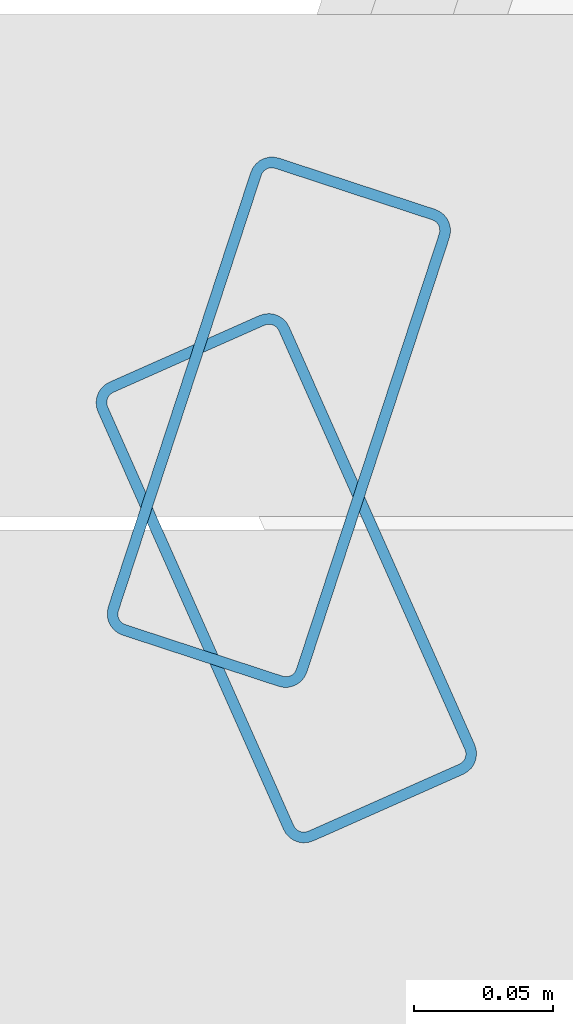
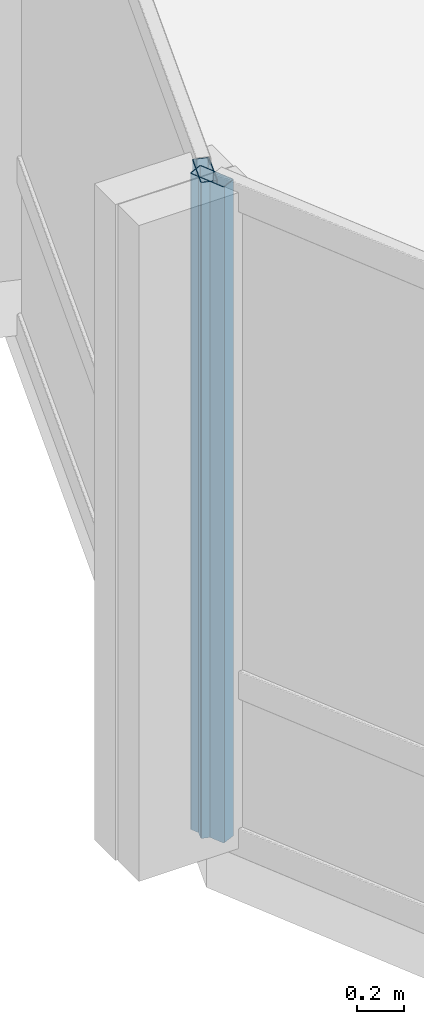
# One storey, part 6 of 29: 2 members, 2 elements without a shape of their own.
"""IFC4 building model written with IfcOpenShell, lengths in metres."""

from ifc_helpers import new_model, si_unit, direction, frame, origin, origin_2d, place, context, subcontext, project, spatial, hollow_rectangle, extrude, material, layer, layer_set, material_profile, profile_set, type_object, element, aggregate, save


model = new_model("IFC4")

# Units and contexts
model_context = context("Model", 3, precision=1e-05, world=origin(), true_north=direction((0.0, 1.0)))
body_context = subcontext(model_context, "Body", "Model", "MODEL_VIEW")
ifc_project = project(units=[si_unit("LENGTHUNIT", "METRE"), si_unit("AREAUNIT", "SQUARE_METRE"), si_unit("VOLUMEUNIT", "CUBIC_METRE"), si_unit("PLANEANGLEUNIT", "RADIAN"), si_unit("MASSUNIT", "GRAM", prefix="KILO")], contexts=[model_context])

# Site, building, storey
site_placement = place(None, origin())
site = spatial("IfcSite", under=ifc_project, at=site_placement, CompositionType="ELEMENT")
building_placement = place(site_placement, origin())
building = spatial("IfcBuilding", under=site, at=building_placement, Name="Solvaryn Broadcast Tower", CompositionType="ELEMENT")
storey_placement = place(building_placement, frame((0.0, 0.0, 147.0)))
storey = spatial("IfcBuildingStorey", under=building, at=storey_placement, Name="L36", CompositionType="ELEMENT", Elevation=147.0)

# Curtain wall, member
ifc_material_1 = material(Name="Aluminium and Terracotta Unitised Curtain Wall", Category="masonry")
ifc_layer = layer(ifc_material_1, 0.199951171875)
ifc_layer_set = layer_set([ifc_layer], Name="CW-SYS2-LOWMID")
curtain_wall_type = type_object("IfcCurtainWallType", Name="CW-SYS2-LOWMID", PredefinedType="NOTDEFINED", material=ifc_layer_set)
curtain_wall_1_placement = place(storey_placement, origin())
curtain_wall_1 = element("IfcCurtainWall", 1, at=curtain_wall_1_placement, inside=storey, type_object=curtain_wall_type, Name="L36 Curtain Wall DR1", PredefinedType="NOTDEFINED")
ifc_material_2 = material(Name="Anodised Aluminium 6063-T6", Category="aluminium")
ifc_material_profile = material_profile(ifc_material_2, hollow_rectangle(XDim=0.074951171875, YDim=0.179931640625, WallThickness=0.00390625, InnerFilletRadius=0.00390625, OuterFilletRadius=0.008056640625, at=origin_2d()))
ifc_profile_set = profile_set([ifc_material_profile], Name="Anodised Aluminium 6063-T6")
member_type = type_object("IfcMemberType", Name="CW-MUL-180", PredefinedType="MULLION", material=ifc_profile_set)
member_1_placement = place(storey_placement, frame((1.04345703125, 26.66455078125, 0.0), z_axis=(0.0, 0.0, 1.0), x_axis=(0.950198260794, -0.311646057547, 0.0)))
member_1 = element("IfcMember", 2, at=member_1_placement, type_object=member_type, Name="CWS2 mullion 2", PredefinedType="MULLION", context=body_context, shape_type="SweptSolid", body=[
    extrude(hollow_rectangle(XDim=0.074951171875, YDim=0.179931640625, WallThickness=0.00390625, InnerFilletRadius=0.00390625, OuterFilletRadius=0.008056640625, at=origin_2d()), origin(), (0.0, 0.0, 1.0), 3.419921875),
])
aggregate(curtain_wall_1, [member_1])

curtain_wall_2_placement = place(storey_placement, origin())
curtain_wall_2 = element("IfcCurtainWall", 3, at=curtain_wall_2_placement, inside=storey, type_object=curtain_wall_type, Name="L36 Curtain Wall DR2", PredefinedType="NOTDEFINED")
member_2_placement = place(storey_placement, frame((1.046142578125, 26.608642578125, 0.0), z_axis=(0.0, 0.0, 1.0), x_axis=(0.913909311008, 0.405918429309, 0.0)))
member_2 = element("IfcMember", 4, at=member_2_placement, type_object=member_type, Name="CWS2 mullion 1", PredefinedType="MULLION", context=body_context, shape_type="SweptSolid", body=[
    extrude(hollow_rectangle(XDim=0.074951171875, YDim=0.179931640625, WallThickness=0.00390625, InnerFilletRadius=0.00390625, OuterFilletRadius=0.008056640625, at=origin_2d()), origin(), (0.0, 0.0, 1.0), 3.419921875),
])
aggregate(curtain_wall_2, [member_2])

save(model, "model.ifc")
